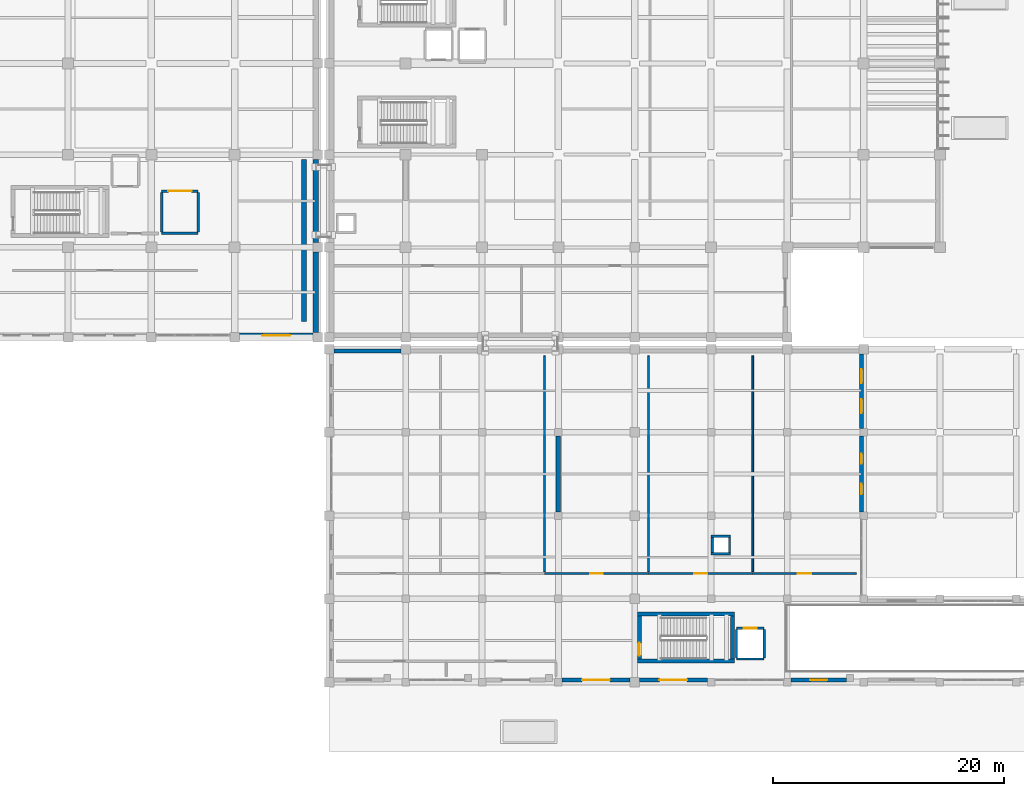
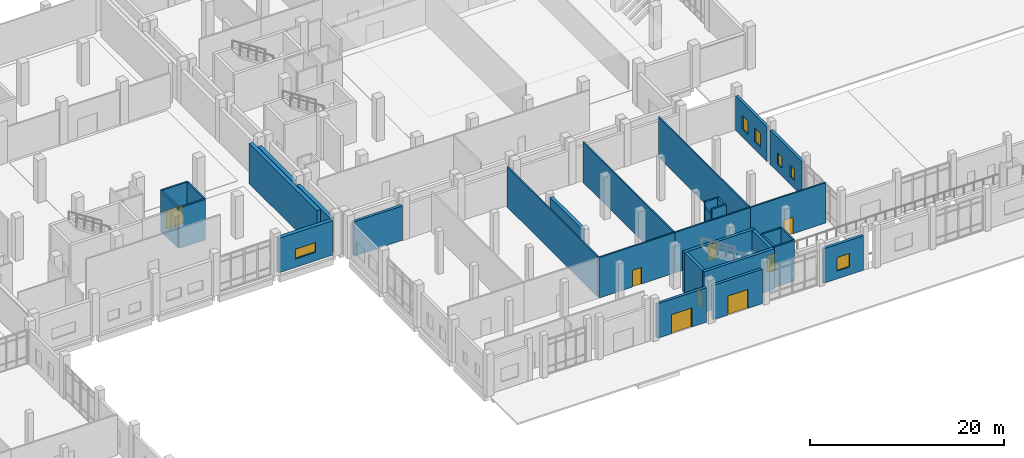
# One storey, part 54 of 79: 33 walls, 8 doors, 6 windows, 14 openings.
"""IFC4 building model written with IfcOpenShell, lengths in metres."""

from ifc_helpers import new_model, si_unit, direction, frame, frame_2d, origin, place, context, subcontext, project, spatial, rectangle, extrude, material, layer, layer_set, type_object, element, fill, save


model = new_model("IFC4")

# Units and contexts
model_context = context("Model", 3, precision=1e-05, world=origin(), true_north=direction((0.0, 1.0)))
body_context = subcontext(model_context, "Body", "Model", "MODEL_VIEW")
ifc_project = project(units=[si_unit("LENGTHUNIT", "METRE"), si_unit("AREAUNIT", "SQUARE_METRE"), si_unit("VOLUMEUNIT", "CUBIC_METRE"), si_unit("PLANEANGLEUNIT", "RADIAN"), si_unit("MASSUNIT", "GRAM", prefix="KILO")], contexts=[model_context])

# Site, building, storey
site_placement = place(None, origin())
site = spatial("IfcSite", under=ifc_project, at=site_placement, CompositionType="ELEMENT")
building_placement = place(site_placement, origin())
building = spatial("IfcBuilding", under=site, at=building_placement, Name="Kelarvand Opera House", CompositionType="ELEMENT")
storey_placement = place(building_placement, origin())
storey = spatial("IfcBuildingStorey", under=building, at=storey_placement, Name="L00", CompositionType="ELEMENT", Elevation=0.0)

# Walls
ifc_material_1 = material(Name="Concrete C40/50", Category="concrete")
ifc_layer_1 = layer(ifc_material_1, 0.449951171875, Name="Concrete C40/50", Category="concrete")
ifc_layer_set_1 = layer_set([ifc_layer_1], Name="Concrete C40/50")
wall_type_1 = type_object("IfcWallType", Name="Acoustic Proscenium Shear Wall 450", PredefinedType="SHEAR", material=ifc_layer_set_1)
wall_1_placement = place(storey_placement, frame((86.800048828125, 40.199951171875, 0.0), z_axis=(0.0, 0.0, 1.0), x_axis=(0.0, 1.0, 0.0)))
element("IfcWall", 1, at=wall_1_placement, inside=storey, type_object=wall_type_1, Name="V2 Shear Wall PW-120 L00", PredefinedType="SHEAR", context=body_context, shape_type="SweptSolid", body=[
    extrude(rectangle(XDim=14.0, YDim=0.449951171875, at=frame_2d((7.0, 0.0))), origin(), (0.0, 0.0, 1.0), 5.080078125),
])
ifc_material_2 = material(Name="Acoustic double-stud gypsum partition")
ifc_layer_2 = layer(ifc_material_2, 0.14990234375, Name="Acoustic double-stud gypsum partition")
ifc_layer_set_2 = layer_set([ifc_layer_2], Name="Acoustic double-stud gypsum partition")
wall_type_2 = type_object("IfcWallType", Name="Acoustic Room Partition Wall 150", PredefinedType="PARTITIONING", material=ifc_layer_set_2)
for number, where, z_axis, x_axis, name in (
    (2, (107.60009765625, 18.5400390625, 0.0), (0.0, 0.0, 1.0), (0.0, 1.0, 0.0), "V6 L00 Partition Wall IW-150 (319)"),
    (3, (116.60009765625, 18.5400390625, 0.0), (0.0, 0.0, 1.0), (0.0, 1.0, 0.0), "V6 L00 Partition Wall IW-150 (321)"),
    (4, (125.60009765625, 18.5400390625, 0.0), (0.0, 0.0, 1.0), (0.0, 1.0, 0.0), "V6 L00 Partition Wall IW-150 (323)"),
):
    element("IfcWall", number, at=place(storey_placement, frame(where, z_axis=z_axis, x_axis=x_axis)), inside=storey, type_object=wall_type_2, Name=name, PredefinedType="PARTITIONING", context=body_context, shape_type="SweptSolid", body=[
        extrude(rectangle(XDim=18.659912109375, YDim=0.14990234375, at=frame_2d((9.330078125, 0.0))), origin(), (0.0, 0.0, 1.0), 5.092041015625),
    ])
ifc_layer_3 = layer(ifc_material_1, 0.35009765625, Name="Concrete C40/50", Category="concrete")
ifc_layer_set_3 = layer_set([ifc_layer_3], Name="Concrete C40/50")
wall_type_3 = type_object("IfcWallType", Name="Core Stair and Lift Shear Wall 350", PredefinedType="SHEAR", material=ifc_layer_set_3)
for number, where, z_axis, x_axis, name in (
    (5, (115.64990234375, 10.824951171875, 0.0), (0.0, 0.0, 1.0), (1.0, 0.0, 0.0), "C8 Stair Core Shear Wall S L00"),
    (6, (124.050048828125, 14.875, 0.0), (0.0, 0.0, 1.0), (-1.0, 0.0, 0.0), "C8 Stair Core Shear Wall N L00"),
):
    element("IfcWall", number, at=place(storey_placement, frame(where, z_axis=z_axis, x_axis=x_axis)), inside=storey, type_object=wall_type_3, Name=name, PredefinedType="SHEAR", context=body_context, shape_type="SweptSolid", body=[
        extrude(rectangle(XDim=8.400146484375, YDim=0.35009765625, at=frame_2d((4.2001953125, 0.0))), origin(), (0.0, 0.0, 1.0), 5.10009765625),
    ])

# Wall, opening, door
wall_2_placement = place(storey_placement, frame((115.824951171875, 11.0, 0.0), z_axis=(0.0, 0.0, 1.0), x_axis=(0.0, 1.0, 0.0)))
wall_2 = element("IfcWall", 7, at=wall_2_placement, inside=storey, type_object=wall_type_3, Name="C8 Stair Core Shear Wall W L00", PredefinedType="SHEAR", context=body_context, shape_type="SweptSolid", body=[
    extrude(rectangle(XDim=3.699951171875, YDim=0.35009765625, at=frame_2d((1.85009765625, 0.0))), origin(), (0.0, 0.0, 1.0), 5.10009765625),
])
opening_1_placement = place(wall_2_placement, frame((0.280029296875, 0.0, 0.0)))
opening_1 = element("IfcOpeningElement", 8, at=opening_1_placement, cuts=wall_2, Name="Opening FD-01", PredefinedType="OPENING", context=body_context, shape_type="SweptSolid", body=[
    extrude(rectangle(XDim=1.10009765625, YDim=2.080078125, at=frame_2d((0.550048828125, 1.0400390625))), frame((0.0, 0.18505859375, 0.0), z_axis=(0.0, -1.0, 0.0), x_axis=(1.0, 0.0, 0.0)), (0.0, 0.0, 1.0), 0.3701171875),
])
ifc_material_3 = material(Name="Fire-rated brushed stainless steel", Category="steel")
door_type_1 = type_object("IfcDoorType", Name="Steel Fire-Rated Stair and FF Lobby Door 1100x2080", OperationType="NOTDEFINED", PredefinedType="DOOR", material=ifc_material_3)
door_1_placement = place(opening_1_placement, origin())
door_1 = element("IfcDoor", 9, at=door_1_placement, inside=storey, type_object=door_type_1, Name="C8 Stair ST-08 Fire Door L00", OperationType="SINGLE_SWING_RIGHT", OverallHeight=2.080078125, OverallWidth=1.10009765625, PredefinedType="DOOR", context=body_context, shape_type="SweptSolid", body=[
    extrude(rectangle(XDim=1.10009765625, YDim=2.080078125, at=frame_2d((0.550048828125, 1.0400390625))), frame((0.0, 0.02490234375, 0.0), z_axis=(0.0, -1.0, 0.0), x_axis=(1.0, 0.0, 0.0)), (0.0, 0.0, 1.0), 0.050048828125),
])
fill(opening_1, door_1)

# Wall
wall_3_placement = place(storey_placement, frame((123.875, 14.699951171875, 0.0), z_axis=(0.0, 0.0, 1.0), x_axis=(0.0, -1.0, 0.0)))
element("IfcWall", 10, at=wall_3_placement, inside=storey, type_object=wall_type_3, Name="C8 Stair Core Shear Wall E L00", PredefinedType="SHEAR", context=body_context, shape_type="SweptSolid", body=[
    extrude(rectangle(XDim=3.699951171875, YDim=0.35009765625, at=frame_2d((1.85009765625, 0.0))), origin(), (0.0, 0.0, 1.0), 5.10009765625),
])

# Wall, opening, door
ifc_material_4 = material(Name="Concrete C35/45", Category="concrete")
ifc_layer_4 = layer(ifc_material_4, 0.179931640625, Name="Concrete C35/45", Category="concrete")
ifc_layer_set_4 = layer_set([ifc_layer_4], Name="Concrete C35/45")
wall_type_4 = type_object("IfcWallType", Name="Corridor Fire-Rated Partition Wall 180 EI90", PredefinedType="PARTITIONING", material=ifc_layer_set_4)
wall_4_placement = place(storey_placement, frame((107.60009765625, 18.39990234375, 0.0), z_axis=(0.0, 0.0, 1.0), x_axis=(1.0, 0.0, 0.0)))
wall_4 = element("IfcWall", 11, at=wall_4_placement, inside=storey, type_object=wall_type_4, Name="V6 L00 Partition Wall IW-90 (320)", PredefinedType="PARTITIONING", context=body_context, shape_type="SweptSolid", body=[
    extrude(rectangle(XDim=9.0, YDim=0.179931640625, at=frame_2d((4.5, 0.0))), origin(), (0.0, 0.0, 1.0), 5.092041015625),
])
opening_2_placement = place(wall_4_placement, frame((3.97509765625, 0.0, 0.0)))
opening_2 = element("IfcOpeningElement", 12, at=opening_2_placement, cuts=wall_4, Name="Opening D-02", PredefinedType="OPENING", context=body_context, shape_type="SweptSolid", body=[
    extrude(rectangle(XDim=1.050048828125, YDim=2.10009765625, at=frame_2d((0.52490234375, 1.050048828125))), frame((0.0, 0.10009765625, 0.0), z_axis=(0.0, -1.0, 0.0), x_axis=(1.0, 0.0, 0.0)), (0.0, 0.0, 1.0), 0.199951171875),
])
ifc_material_5 = material(Name="Acoustic walnut-veneered hardwood", Category="wood")
door_type_2 = type_object("IfcDoorType", Name="Acoustic Studio Single Door 1050x2100", OperationType="NOTDEFINED", PredefinedType="DOOR", material=ifc_material_5)
door_2_placement = place(opening_2_placement, origin())
door_2 = element("IfcDoor", 13, at=door_2_placement, inside=storey, type_object=door_type_2, Name="V6 L00 Door D-02 (141)", OperationType="SINGLE_SWING_RIGHT", OverallHeight=2.10009765625, OverallWidth=1.050048828125, PredefinedType="DOOR", context=body_context, shape_type="SweptSolid", body=[
    extrude(rectangle(XDim=1.050048828125, YDim=2.10009765625, at=frame_2d((0.52490234375, 1.050048828125))), frame((0.0, 0.02490234375, 0.0), z_axis=(0.0, -1.0, 0.0), x_axis=(1.0, 0.0, 0.0)), (0.0, 0.0, 1.0), 0.050048828125),
])
fill(opening_2, door_2)

wall_5_placement = place(storey_placement, frame((116.60009765625, 18.39990234375, 0.0), z_axis=(0.0, 0.0, 1.0), x_axis=(1.0, 0.0, 0.0)))
wall_5 = element("IfcWall", 14, at=wall_5_placement, inside=storey, type_object=wall_type_4, Name="V6 L00 Partition Wall IW-90 (322)", PredefinedType="PARTITIONING", context=body_context, shape_type="SweptSolid", body=[
    extrude(rectangle(XDim=9.0, YDim=0.179931640625, at=frame_2d((4.5, 0.0))), origin(), (0.0, 0.0, 1.0), 5.092041015625),
])
opening_3_placement = place(wall_5_placement, frame((3.93994140625, 0.0, 0.0)))
opening_3 = element("IfcOpeningElement", 15, at=opening_3_placement, cuts=wall_5, Name="Opening D-10", PredefinedType="OPENING", context=body_context, shape_type="SweptSolid", body=[
    extrude(rectangle(XDim=1.1201171875, YDim=2.1201171875, at=frame_2d((0.56005859375, 1.06005859375))), frame((0.0, 0.10009765625, 0.0), z_axis=(0.0, -1.0, 0.0), x_axis=(1.0, 0.0, 0.0)), (0.0, 0.0, 1.0), 0.199951171875),
])
door_type_3 = type_object("IfcDoorType", Name="Chorus Studio Single Door 1120x2120", OperationType="NOTDEFINED", PredefinedType="DOOR", material=ifc_material_5)
door_3_placement = place(opening_3_placement, origin())
door_3 = element("IfcDoor", 16, at=door_3_placement, inside=storey, type_object=door_type_3, Name="V6 L00 Door D-10 (142)", OperationType="SINGLE_SWING_LEFT", OverallHeight=2.1201171875, OverallWidth=1.1201171875, PredefinedType="DOOR", context=body_context, shape_type="SweptSolid", body=[
    extrude(rectangle(XDim=1.1201171875, YDim=2.1201171875, at=frame_2d((0.56005859375, 1.06005859375))), frame((0.0, 0.02490234375, 0.0), z_axis=(0.0, -1.0, 0.0), x_axis=(1.0, 0.0, 0.0)), (0.0, 0.0, 1.0), 0.050048828125),
])
fill(opening_3, door_3)

wall_6_placement = place(storey_placement, frame((125.60009765625, 18.39990234375, 0.0), z_axis=(0.0, 0.0, 1.0), x_axis=(1.0, 0.0, 0.0)))
wall_6 = element("IfcWall", 17, at=wall_6_placement, inside=storey, type_object=wall_type_4, Name="V6 L00 Partition Wall IW-90 (324)", PredefinedType="PARTITIONING", context=body_context, shape_type="SweptSolid", body=[
    extrude(rectangle(XDim=9.0, YDim=0.179931640625, at=frame_2d((4.5, 0.0))), origin(), (0.0, 0.0, 1.0), 5.092041015625),
])
opening_4_placement = place(wall_6_placement, frame((3.919921875, 0.0, 0.0)))
opening_4 = element("IfcOpeningElement", 18, at=opening_4_placement, cuts=wall_6, Name="Opening D-20", PredefinedType="OPENING", context=body_context, shape_type="SweptSolid", body=[
    extrude(rectangle(XDim=1.159912109375, YDim=2.10009765625, at=frame_2d((0.580078125, 1.050048828125))), frame((0.0, 0.10009765625, 0.0), z_axis=(0.0, -1.0, 0.0), x_axis=(1.0, 0.0, 0.0)), (0.0, 0.0, 1.0), 0.199951171875),
])
door_type_4 = type_object("IfcDoorType", Name="Library Reading Room Door 1160x2100", OperationType="NOTDEFINED", PredefinedType="DOOR", material=ifc_material_5)
door_4_placement = place(opening_4_placement, origin())
door_4 = element("IfcDoor", 19, at=door_4_placement, inside=storey, type_object=door_type_4, Name="V6 L00 Door D-20 (143)", OperationType="SINGLE_SWING_RIGHT", OverallHeight=2.10009765625, OverallWidth=1.159912109375, PredefinedType="DOOR", context=body_context, shape_type="SweptSolid", body=[
    extrude(rectangle(XDim=1.159912109375, YDim=2.10009765625, at=frame_2d((0.580078125, 1.050048828125))), frame((0.0, 0.02490234375, 0.0), z_axis=(0.0, -1.0, 0.0), x_axis=(1.0, 0.0, 0.0)), (0.0, 0.0, 1.0), 0.050048828125),
])
fill(opening_4, door_4)

# Wall, opening, window
ifc_layer_5 = layer(ifc_material_4, 0.320068359375, Name="Concrete C35/45", Category="concrete")
ifc_layer_set_5 = layer_set([ifc_layer_5], Name="Concrete C35/45")
wall_type_5 = type_object("IfcWallType", Name="Insulated Buff Brick Cavity Wall 320", PredefinedType="SOLIDWALL", material=ifc_layer_set_5)
wall_7_placement = place(storey_placement, frame((133.699951171875, 9.179931640625, 0.0), z_axis=(0.0, 0.0, 1.0), x_axis=(-1.0, 0.0, 0.0)))
wall_7 = element("IfcWall", 20, at=wall_7_placement, inside=storey, type_object=wall_type_5, Name="V6 L00 Exterior Wall EW-320 (701)", PredefinedType="SOLIDWALL", context=body_context, shape_type="SweptSolid", body=[
    extrude(rectangle(XDim=4.77490234375, YDim=0.320068359375, at=frame_2d((2.387451171875, 0.0))), origin(), (0.0, 0.0, 1.0), 4.342041015625),
])
opening_5_placement = place(wall_7_placement, frame((1.636962890625, 0.0, 1.0)))
opening_5 = element("IfcOpeningElement", 21, at=opening_5_placement, cuts=wall_7, Name="Opening WN-17", PredefinedType="OPENING", context=body_context, shape_type="SweptSolid", body=[
    extrude(rectangle(XDim=1.5, YDim=1.699951171875, at=frame_2d((0.75, 0.85009765625))), frame((0.0, 0.169921875, 0.0), z_axis=(0.0, -1.0, 0.0), x_axis=(1.0, 0.0, 0.0)), (0.0, 0.0, 1.0), 0.340087890625),
])
ifc_material_6 = material(Name="Thermally broken aluminium and low-E double glazing", Category="aluminium")
window_type_1 = type_object("IfcWindowType", Name="Recessed Aluminium Thermal Window 1500x1700 WN-17", PartitioningType="SINGLE_PANEL", PredefinedType="WINDOW", material=ifc_material_6)
window_1_placement = place(opening_5_placement, origin())
window_1 = element("IfcWindow", 22, at=window_1_placement, inside=storey, type_object=window_type_1, Name="V6 L00 Facade Window WN-17 (310)", OverallHeight=1.699951171875, OverallWidth=1.5, PartitioningType="SINGLE_PANEL", PredefinedType="WINDOW", context=body_context, shape_type="SweptSolid", body=[
    extrude(rectangle(XDim=1.5, YDim=1.699951171875, at=frame_2d((0.75, 0.85009765625))), frame((0.0, 0.030029296875, 0.0), z_axis=(0.0, -1.0, 0.0), x_axis=(1.0, 0.0, 0.0)), (0.0, 0.0, 1.0), 0.06005859375),
])
fill(opening_5, window_1)

# Wall, opening, door
wall_8_placement = place(storey_placement, frame((121.675048828125, 9.179931640625, 0.0), z_axis=(0.0, 0.0, 1.0), x_axis=(-1.0, 0.0, 0.0)))
wall_8 = element("IfcWall", 23, at=wall_8_placement, inside=storey, type_object=wall_type_5, Name="V6 L00 Exterior Wall EW-320 (702)", PredefinedType="SOLIDWALL", context=body_context, shape_type="SweptSolid", body=[
    extrude(rectangle(XDim=5.864990234375, YDim=0.320068359375, at=frame_2d((2.9326171875, 0.0))), origin(), (0.0, 0.0, 1.0), 4.342041015625),
])
opening_6_placement = place(wall_8_placement, frame((1.73193359375, 0.0, 0.0)))
opening_6 = element("IfcOpeningElement", 24, at=opening_6_placement, cuts=wall_8, Name="Opening EX-240", PredefinedType="OPENING", context=body_context, shape_type="SweptSolid", body=[
    extrude(rectangle(XDim=2.39990234375, YDim=2.39990234375, at=frame_2d((1.199951171875, 1.199951171875))), frame((0.0, 0.169921875, 0.0), z_axis=(0.0, -1.0, 0.0), x_axis=(1.0, 0.0, 0.0)), (0.0, 0.0, 1.0), 0.340087890625),
])
ifc_material_7 = material(Name="Thermally broken bronze-anodised aluminium and safety glass", Category="aluminium")
door_type_5 = type_object("IfcDoorType", Name="Glazed Bronze Double Final Exit Door 2400x2400", OperationType="NOTDEFINED", PredefinedType="DOOR", material=ifc_material_7)
door_5_placement = place(opening_6_placement, origin())
door_5 = element("IfcDoor", 25, at=door_5_placement, inside=storey, type_object=door_type_5, Name="V6 Ground Final Exit Door E06", OperationType="DOUBLE_DOOR_SINGLE_SWING", OverallHeight=2.39990234375, OverallWidth=2.39990234375, PredefinedType="DOOR", context=body_context, shape_type="SweptSolid", body=[
    extrude(rectangle(XDim=2.39990234375, YDim=2.39990234375, at=frame_2d((1.199951171875, 1.199951171875))), frame((0.0, 0.02490234375, 0.0), z_axis=(0.0, -1.0, 0.0), x_axis=(1.0, 0.0, 0.0)), (0.0, 0.0, 1.0), 0.050048828125),
])
fill(opening_6, door_5)

wall_9_placement = place(storey_placement, frame((114.989990234375, 9.179931640625, 0.0), z_axis=(0.0, 0.0, 1.0), x_axis=(-1.0, 0.0, 0.0)))
wall_9 = element("IfcWall", 26, at=wall_9_placement, inside=storey, type_object=wall_type_5, Name="V6 L00 Exterior Wall EW-320 (703)", PredefinedType="SOLIDWALL", context=body_context, shape_type="SweptSolid", body=[
    extrude(rectangle(XDim=5.864990234375, YDim=0.320068359375, at=frame_2d((2.9326171875, 0.0))), origin(), (0.0, 0.0, 1.0), 4.342041015625),
])
opening_7_placement = place(wall_9_placement, frame((1.73193359375, 0.0, 0.0)))
opening_7 = element("IfcOpeningElement", 27, at=opening_7_placement, cuts=wall_9, Name="Opening EX-240", PredefinedType="OPENING", context=body_context, shape_type="SweptSolid", body=[
    extrude(rectangle(XDim=2.39990234375, YDim=2.39990234375, at=frame_2d((1.199951171875, 1.199951171875))), frame((0.0, 0.169921875, 0.0), z_axis=(0.0, -1.0, 0.0), x_axis=(1.0, 0.0, 0.0)), (0.0, 0.0, 1.0), 0.340087890625),
])
door_6_placement = place(opening_7_placement, origin())
door_6 = element("IfcDoor", 28, at=door_6_placement, inside=storey, type_object=door_type_5, Name="V6 Ground Final Exit Door E05", OperationType="DOUBLE_DOOR_SINGLE_SWING", OverallHeight=2.39990234375, OverallWidth=2.39990234375, PredefinedType="DOOR", context=body_context, shape_type="SweptSolid", body=[
    extrude(rectangle(XDim=2.39990234375, YDim=2.39990234375, at=frame_2d((1.199951171875, 1.199951171875))), frame((0.0, 0.02490234375, 0.0), z_axis=(0.0, -1.0, 0.0), x_axis=(1.0, 0.0, 0.0)), (0.0, 0.0, 1.0), 0.050048828125),
])
fill(opening_7, door_6)

# Wall
wall_10_placement = place(storey_placement, frame((89.409912109375, 37.6201171875, 0.0), z_axis=(0.0, 0.0, 1.0), x_axis=(1.0, 0.0, 0.0)))
element("IfcWall", 29, at=wall_10_placement, inside=storey, type_object=wall_type_5, Name="V6 L00 Exterior Wall EW-320 (709)", PredefinedType="SOLIDWALL", context=body_context, shape_type="SweptSolid", body=[
    extrude(rectangle(XDim=5.780029296875, YDim=0.320068359375, at=frame_2d((2.89013671875, 0.0))), origin(), (0.0, 0.0, 1.0), 4.342041015625),
])

# Wall, openings, windows
wall_11_placement = place(storey_placement, frame((135.02001953125, 37.389892578125, 0.0), z_axis=(0.0, 0.0, 1.0), x_axis=(0.0, -1.0, 0.0)))
wall_11 = element("IfcWall", 30, at=wall_11_placement, inside=storey, type_object=wall_type_5, Name="V6 L00 Exterior Wall EW-320 (716)", PredefinedType="SOLIDWALL", context=body_context, shape_type="SweptSolid", body=[
    extrude(rectangle(XDim=6.46484375, YDim=0.320068359375, at=frame_2d((3.232421875, 0.0))), origin(), (0.0, 0.0, 1.0), 4.342041015625),
])
opening_8_placement = place(wall_11_placement, frame((1.339111328125, 0.0, 1.0)))
opening_8 = element("IfcOpeningElement", 31, at=opening_8_placement, cuts=wall_11, Name="Opening WN-16", PredefinedType="OPENING", context=body_context, shape_type="SweptSolid", body=[
    extrude(rectangle(XDim=1.199951171875, YDim=1.699951171875, at=frame_2d((0.60009765625, 0.85009765625))), frame((0.0, 0.169921875, 0.0), z_axis=(0.0, -1.0, 0.0), x_axis=(1.0, 0.0, 0.0)), (0.0, 0.0, 1.0), 0.340087890625),
])
opening_9_placement = place(wall_11_placement, frame((3.925048828125, 0.0, 1.0)))
opening_9 = element("IfcOpeningElement", 32, at=opening_9_placement, cuts=wall_11, Name="Opening WN-16", PredefinedType="OPENING", context=body_context, shape_type="SweptSolid", body=[
    extrude(rectangle(XDim=1.199951171875, YDim=1.699951171875, at=frame_2d((0.60009765625, 0.85009765625))), frame((0.0, 0.169921875, 0.0), z_axis=(0.0, -1.0, 0.0), x_axis=(1.0, 0.0, 0.0)), (0.0, 0.0, 1.0), 0.340087890625),
])
window_type_2 = type_object("IfcWindowType", Name="Recessed Aluminium Thermal Window 1200x1700 WN-16", PartitioningType="SINGLE_PANEL", PredefinedType="WINDOW", material=ifc_material_6)
window_2_placement = place(opening_8_placement, origin())
window_2 = element("IfcWindow", 33, at=window_2_placement, inside=storey, type_object=window_type_2, Name="V6 L00 Facade Window WN-16 (318)", OverallHeight=1.699951171875, OverallWidth=1.199951171875, PartitioningType="SINGLE_PANEL", PredefinedType="WINDOW", context=body_context, shape_type="SweptSolid", body=[
    extrude(rectangle(XDim=1.199951171875, YDim=1.699951171875, at=frame_2d((0.60009765625, 0.85009765625))), frame((0.0, 0.030029296875, 0.0), z_axis=(0.0, -1.0, 0.0), x_axis=(1.0, 0.0, 0.0)), (0.0, 0.0, 1.0), 0.06005859375),
])
fill(opening_8, window_2)
window_3_placement = place(opening_9_placement, origin())
window_3 = element("IfcWindow", 34, at=window_3_placement, inside=storey, type_object=window_type_2, Name="V6 L00 Facade Window WN-16 (319)", OverallHeight=1.699951171875, OverallWidth=1.199951171875, PartitioningType="SINGLE_PANEL", PredefinedType="WINDOW", context=body_context, shape_type="SweptSolid", body=[
    extrude(rectangle(XDim=1.199951171875, YDim=1.699951171875, at=frame_2d((0.60009765625, 0.85009765625))), frame((0.0, 0.030029296875, 0.0), z_axis=(0.0, -1.0, 0.0), x_axis=(1.0, 0.0, 0.0)), (0.0, 0.0, 1.0), 0.06005859375),
])
fill(opening_9, window_3)

wall_12_placement = place(storey_placement, frame((135.02001953125, 30.27490234375, 0.0), z_axis=(0.0, 0.0, 1.0), x_axis=(0.0, -1.0, 0.0)))
wall_12 = element("IfcWall", 35, at=wall_12_placement, inside=storey, type_object=wall_type_5, Name="V6 L00 Exterior Wall EW-320 (717)", PredefinedType="SOLIDWALL", context=body_context, shape_type="SweptSolid", body=[
    extrude(rectangle(XDim=6.5498046875, YDim=0.320068359375, at=frame_2d((3.27490234375, 0.0))), origin(), (0.0, 0.0, 1.0), 4.342041015625),
])
opening_10_placement = place(wall_12_placement, frame((1.514892578125, 0.0, 1.0)))
opening_10 = element("IfcOpeningElement", 36, at=opening_10_placement, cuts=wall_12, Name="Opening WN-25", PredefinedType="OPENING", context=body_context, shape_type="SweptSolid", body=[
    extrude(rectangle(XDim=0.89990234375, YDim=1.39990234375, at=frame_2d((0.449951171875, 0.699951171875))), frame((0.0, 0.169921875, 0.0), z_axis=(0.0, -1.0, 0.0), x_axis=(1.0, 0.0, 0.0)), (0.0, 0.0, 1.0), 0.340087890625),
])
opening_11_placement = place(wall_12_placement, frame((4.135009765625, 0.0, 1.0)))
opening_11 = element("IfcOpeningElement", 37, at=opening_11_placement, cuts=wall_12, Name="Opening WN-25", PredefinedType="OPENING", context=body_context, shape_type="SweptSolid", body=[
    extrude(rectangle(XDim=0.89990234375, YDim=1.39990234375, at=frame_2d((0.449951171875, 0.699951171875))), frame((0.0, 0.169921875, 0.0), z_axis=(0.0, -1.0, 0.0), x_axis=(1.0, 0.0, 0.0)), (0.0, 0.0, 1.0), 0.340087890625),
])
window_type_3 = type_object("IfcWindowType", Name="Recessed Aluminium Thermal Window 900x1400 WN-25", PartitioningType="SINGLE_PANEL", PredefinedType="WINDOW", material=ifc_material_6)
window_4_placement = place(opening_10_placement, origin())
window_4 = element("IfcWindow", 38, at=window_4_placement, inside=storey, type_object=window_type_3, Name="V6 L00 Facade Window WN-25 (320)", OverallHeight=1.39990234375, OverallWidth=0.89990234375, PartitioningType="SINGLE_PANEL", PredefinedType="WINDOW", context=body_context, shape_type="SweptSolid", body=[
    extrude(rectangle(XDim=0.89990234375, YDim=1.39990234375, at=frame_2d((0.449951171875, 0.699951171875))), frame((0.0, 0.030029296875, 0.0), z_axis=(0.0, -1.0, 0.0), x_axis=(1.0, 0.0, 0.0)), (0.0, 0.0, 1.0), 0.06005859375),
])
fill(opening_10, window_4)
window_5_placement = place(opening_11_placement, origin())
window_5 = element("IfcWindow", 39, at=window_5_placement, inside=storey, type_object=window_type_3, Name="V6 L00 Facade Window WN-25 (321)", OverallHeight=1.39990234375, OverallWidth=0.89990234375, PartitioningType="SINGLE_PANEL", PredefinedType="WINDOW", context=body_context, shape_type="SweptSolid", body=[
    extrude(rectangle(XDim=0.89990234375, YDim=1.39990234375, at=frame_2d((0.449951171875, 0.699951171875))), frame((0.0, 0.030029296875, 0.0), z_axis=(0.0, -1.0, 0.0), x_axis=(1.0, 0.0, 0.0)), (0.0, 0.0, 1.0), 0.06005859375),
])
fill(opening_11, window_5)

# Walls
ifc_layer_6 = layer(ifc_material_4, 0.199951171875, Name="Concrete C35/45", Category="concrete")
ifc_layer_set_6 = layer_set([ifc_layer_6], Name="Concrete C35/45")
wall_type_6 = type_object("IfcWallType", Name="Lift and Riser Shaft Enclosure Wall 200 EI120", PredefinedType="PARTITIONING", material=ifc_layer_set_6)
for number, where, z_axis, x_axis, name in (
    (40, (122.0, 20.10009765625, 0.0), (0.0, 0.0, 1.0), (1.0, 0.0, 0.0), "RSR-V6 L00 Riser Shaft Wall 141"),
    (41, (123.699951171875, 21.60009765625, 0.0), (0.0, 0.0, 1.0), (-1.0, 0.0, 0.0), "RSR-V6 L00 Riser Shaft Wall 142"),
):
    element("IfcWall", number, at=place(storey_placement, frame(where, z_axis=z_axis, x_axis=x_axis)), inside=storey, type_object=wall_type_6, Name=name, PredefinedType="PARTITIONING", context=body_context, shape_type="SweptSolid", body=[
        extrude(rectangle(XDim=1.699951171875, YDim=0.199951171875, at=frame_2d((0.85009765625, 0.0))), origin(), (0.0, 0.0, 1.0), 5.10009765625),
    ])
wall_13_placement = place(storey_placement, frame((122.10009765625, 20.199951171875, 0.0), z_axis=(0.0, 0.0, 1.0), x_axis=(0.0, 1.0, 0.0)))
element("IfcWall", 42, at=wall_13_placement, inside=storey, type_object=wall_type_6, Name="RSR-V6 L00 Riser Shaft Wall 143", PredefinedType="PARTITIONING", context=body_context, shape_type="SweptSolid", body=[
    extrude(rectangle(XDim=1.300048828125, YDim=0.199951171875, at=frame_2d((0.64990234375, 0.0))), origin(), (0.0, 0.0, 1.0), 4.342041015625),
])
wall_14_placement = place(storey_placement, frame((123.60009765625, 21.5, 0.0), z_axis=(0.0, 0.0, 1.0), x_axis=(0.0, -1.0, 0.0)))
element("IfcWall", 43, at=wall_14_placement, inside=storey, type_object=wall_type_6, Name="RSR-V6 L00 Riser Shaft Wall 144", PredefinedType="PARTITIONING", context=body_context, shape_type="SweptSolid", body=[
    extrude(rectangle(XDim=1.300048828125, YDim=0.199951171875, at=frame_2d((0.64990234375, 0.0))), origin(), (0.0, 0.0, 1.0), 5.10009765625),
])
wall_15_placement = place(storey_placement, frame((74.5, 47.800048828125, 0.0), z_axis=(0.0, 0.0, 1.0), x_axis=(1.0, 0.0, 0.0)))
element("IfcWall", 44, at=wall_15_placement, inside=storey, type_object=wall_type_6, Name="V2 L00 Partition Wall SW-200 (225)", PredefinedType="PARTITIONING", context=body_context, shape_type="SweptSolid", body=[
    extrude(rectangle(XDim=3.14990234375, YDim=0.199951171875, at=frame_2d((1.574951171875, 0.0))), origin(), (0.0, 0.0, 1.0), 5.092041015625),
])

# Wall, opening, door
wall_16_placement = place(storey_placement, frame((77.64990234375, 51.449951171875, 0.0), z_axis=(0.0, 0.0, 1.0), x_axis=(-1.0, 0.0, 0.0)))
wall_16 = element("IfcWall", 45, at=wall_16_placement, inside=storey, type_object=wall_type_6, Name="V2 L00 Partition Wall SW-200 (226)", PredefinedType="PARTITIONING", context=body_context, shape_type="SweptSolid", body=[
    extrude(rectangle(XDim=3.14990234375, YDim=0.199951171875, at=frame_2d((1.574951171875, 0.0))), origin(), (0.0, 0.0, 1.0), 5.092041015625),
])
opening_12_placement = place(wall_16_placement, frame((0.574951171875, 0.0, 0.0)))
opening_12 = element("IfcOpeningElement", 46, at=opening_12_placement, cuts=wall_16, Name="Opening LD-03", PredefinedType="OPENING", context=body_context, shape_type="SweptSolid", body=[
    extrude(rectangle(XDim=2.0, YDim=2.35009765625, at=frame_2d((1.0, 1.175048828125))), frame((0.0, 0.10986328125, 0.0), z_axis=(0.0, -1.0, 0.0), x_axis=(1.0, 0.0, 0.0)), (0.0, 0.0, 1.0), 0.219970703125),
])
door_type_6 = type_object("IfcDoorType", Name="Scenery Goods Lift Sliding Landing Door 2000x2350", OperationType="SLIDING_TO_LEFT", PredefinedType="DOOR", material=ifc_material_3)
door_7_placement = place(opening_12_placement, origin())
door_7 = element("IfcDoor", 47, at=door_7_placement, inside=storey, type_object=door_type_6, Name="V2 L00 Door LD-03 (96)", OperationType="SLIDING_TO_LEFT", OverallHeight=2.35009765625, OverallWidth=2.0, PredefinedType="DOOR", context=body_context, shape_type="SweptSolid", body=[
    extrude(rectangle(XDim=2.0, YDim=2.35009765625, at=frame_2d((1.0, 1.175048828125))), frame((0.0, 0.02490234375, 0.0), z_axis=(0.0, -1.0, 0.0), x_axis=(1.0, 0.0, 0.0)), (0.0, 0.0, 1.0), 0.050048828125),
])
fill(opening_12, door_7)

# Walls
for number, where, z_axis, x_axis, name in (
    (48, (74.5, 47.89990234375, 0.0), (0.0, 0.0, 1.0), (0.0, 1.0, 0.0), "V2 L00 Partition Wall SW-200 (227)"),
    (49, (77.64990234375, 51.35009765625, 0.0), (0.0, 0.0, 1.0), (0.0, -1.0, 0.0), "V2 L00 Partition Wall SW-200 (228)"),
):
    element("IfcWall", number, at=place(storey_placement, frame(where, z_axis=z_axis, x_axis=x_axis)), inside=storey, type_object=wall_type_6, Name=name, PredefinedType="PARTITIONING", context=body_context, shape_type="SweptSolid", body=[
        extrude(rectangle(XDim=3.4501953125, YDim=0.199951171875, at=frame_2d((1.72509765625, 0.0))), origin(), (0.0, 0.0, 1.0), 5.092041015625),
    ])
wall_17_placement = place(storey_placement, frame((124.199951171875, 11.0, 0.0), z_axis=(0.0, 0.0, 1.0), x_axis=(1.0, 0.0, 0.0)))
element("IfcWall", 50, at=wall_17_placement, inside=storey, type_object=wall_type_6, Name="V6 L00 Partition Wall SW-200 (240)", PredefinedType="PARTITIONING", context=body_context, shape_type="SweptSolid", body=[
    extrude(rectangle(XDim=2.400146484375, YDim=0.199951171875, at=frame_2d((1.2001953125, 0.0))), origin(), (0.0, 0.0, 1.0), 5.092041015625),
])

# Wall, opening, door
wall_18_placement = place(storey_placement, frame((126.60009765625, 13.64990234375, 0.0), z_axis=(0.0, 0.0, 1.0), x_axis=(-1.0, 0.0, 0.0)))
wall_18 = element("IfcWall", 51, at=wall_18_placement, inside=storey, type_object=wall_type_6, Name="V6 L00 Partition Wall SW-200 (241)", PredefinedType="PARTITIONING", context=body_context, shape_type="SweptSolid", body=[
    extrude(rectangle(XDim=2.400146484375, YDim=0.199951171875, at=frame_2d((1.2001953125, 0.0))), origin(), (0.0, 0.0, 1.0), 5.092041015625),
])
opening_13_placement = place(wall_18_placement, frame((0.64990234375, 0.0, 0.0)))
opening_13 = element("IfcOpeningElement", 52, at=opening_13_placement, cuts=wall_18, Name="Opening LD-01", PredefinedType="OPENING", context=body_context, shape_type="SweptSolid", body=[
    extrude(rectangle(XDim=1.10009765625, YDim=2.14990234375, at=frame_2d((0.550048828125, 1.074951171875))), frame((0.0, 0.10986328125, 0.0), z_axis=(0.0, -1.0, 0.0), x_axis=(1.0, 0.0, 0.0)), (0.0, 0.0, 1.0), 0.219970703125),
])
door_type_7 = type_object("IfcDoorType", Name="Passenger Lift Sliding Landing Door 1100x2150", OperationType="SLIDING_TO_LEFT", PredefinedType="DOOR", material=ifc_material_3)
door_8_placement = place(opening_13_placement, origin())
door_8 = element("IfcDoor", 53, at=door_8_placement, inside=storey, type_object=door_type_7, Name="V6 L00 Door LD-01 (101)", OperationType="SLIDING_TO_LEFT", OverallHeight=2.14990234375, OverallWidth=1.10009765625, PredefinedType="DOOR", context=body_context, shape_type="SweptSolid", body=[
    extrude(rectangle(XDim=1.10009765625, YDim=2.14990234375, at=frame_2d((0.550048828125, 1.074951171875))), frame((0.0, 0.02490234375, 0.0), z_axis=(0.0, -1.0, 0.0), x_axis=(1.0, 0.0, 0.0)), (0.0, 0.0, 1.0), 0.050048828125),
])
fill(opening_13, door_8)

# Walls
for number, where, z_axis, x_axis, name in (
    (54, (124.199951171875, 11.10009765625, 0.0), (0.0, 0.0, 1.0), (0.0, 1.0, 0.0), "V6 L00 Partition Wall SW-200 (242)"),
    (55, (126.60009765625, 13.550048828125, 0.0), (0.0, 0.0, 1.0), (0.0, -1.0, 0.0), "V6 L00 Partition Wall SW-200 (243)"),
):
    element("IfcWall", number, at=place(storey_placement, frame(where, z_axis=z_axis, x_axis=x_axis)), inside=storey, type_object=wall_type_6, Name=name, PredefinedType="PARTITIONING", context=body_context, shape_type="SweptSolid", body=[
        extrude(rectangle(XDim=2.449951171875, YDim=0.199951171875, at=frame_2d((1.22509765625, 0.0))), origin(), (0.0, 0.0, 1.0), 5.092041015625),
    ])
ifc_layer_7 = layer(ifc_material_1, 0.39990234375, Name="Concrete C40/50", Category="concrete")
ifc_layer_set_7 = layer_set([ifc_layer_7], Name="Concrete C40/50")
wall_type_7 = type_object("IfcWallType", Name="Seismic Compartment Shear Wall 400", PredefinedType="SHEAR", material=ifc_layer_set_7)
wall_19_placement = place(storey_placement, frame((108.800048828125, 23.72509765625, 0.0), z_axis=(0.0, 0.0, 1.0), x_axis=(0.0, 1.0, 0.0)))
element("IfcWall", 56, at=wall_19_placement, inside=storey, type_object=wall_type_7, Name="V6 Shear Wall CW-120 L00", PredefinedType="SHEAR", context=body_context, shape_type="SweptSolid", body=[
    extrude(rectangle(XDim=6.5498046875, YDim=0.39990234375, at=frame_2d((3.27490234375, 0.0))), origin(), (0.0, 0.0, 1.0), 5.080078125),
])
ifc_layer_8 = layer(ifc_material_4, 0.43994140625, Name="Concrete C35/45", Category="concrete")
ifc_layer_set_8 = layer_set([ifc_layer_8], Name="Concrete C35/45")
wall_type_8 = type_object("IfcWallType", Name="Stage House Acoustic Cavity Wall 440", PredefinedType="SOLIDWALL", material=ifc_layer_set_8)
wall_20_placement = place(storey_placement, frame((87.820068359375, 54.18994140625, 0.0), z_axis=(0.0, 0.0, 1.0), x_axis=(0.0, -1.0, 0.0)))
element("IfcWall", 57, at=wall_20_placement, inside=storey, type_object=wall_type_8, Name="V2 L00 Exterior Wall EW-440 (224)", PredefinedType="SOLIDWALL", context=body_context, shape_type="SweptSolid", body=[
    extrude(rectangle(XDim=7.179931640625, YDim=0.43994140625, at=frame_2d((3.58984375, 0.0))), origin(), (0.0, 0.0, 1.0), 4.342041015625),
])
wall_21_placement = place(storey_placement, frame((87.820068359375, 46.18994140625, 0.0), z_axis=(0.0, 0.0, 1.0), x_axis=(0.0, -1.0, 0.0)))
element("IfcWall", 58, at=wall_21_placement, inside=storey, type_object=wall_type_8, Name="V2 L00 Exterior Wall EW-440 (225)", PredefinedType="SOLIDWALL", context=body_context, shape_type="SweptSolid", body=[
    extrude(rectangle(XDim=6.97998046875, YDim=0.43994140625, at=frame_2d((3.489990234375, 0.0))), origin(), (0.0, 0.0, 1.0), 4.342041015625),
])

# Wall, opening, window
wall_22_placement = place(storey_placement, frame((87.590087890625, 38.97998046875, 0.0), z_axis=(0.0, 0.0, 1.0), x_axis=(-1.0, 0.0, 0.0)))
wall_22 = element("IfcWall", 59, at=wall_22_placement, inside=storey, type_object=wall_type_8, Name="V2 L00 Exterior Wall EW-440 (236)", PredefinedType="SOLIDWALL", context=body_context, shape_type="SweptSolid", body=[
    extrude(rectangle(XDim=6.380126953125, YDim=0.43994140625, at=frame_2d((3.18994140625, 0.0))), origin(), (0.0, 0.0, 1.0), 4.342041015625),
])
opening_14_placement = place(wall_22_placement, frame((1.989990234375, 0.0, 1.050048828125)))
opening_14 = element("IfcOpeningElement", 60, at=opening_14_placement, cuts=wall_22, Name="Opening WN-22", PredefinedType="OPENING", context=body_context, shape_type="SweptSolid", body=[
    extrude(rectangle(XDim=2.39990234375, YDim=1.25, at=frame_2d((1.199951171875, 0.625))), frame((0.0, 0.22998046875, 0.0), z_axis=(0.0, -1.0, 0.0), x_axis=(1.0, 0.0, 0.0)), (0.0, 0.0, 1.0), 0.4599609375),
])
window_type_4 = type_object("IfcWindowType", Name="Recessed Aluminium Thermal Window 2400x1250 WN-22", PartitioningType="SINGLE_PANEL", PredefinedType="WINDOW", material=ifc_material_6)
window_6_placement = place(opening_14_placement, origin())
window_6 = element("IfcWindow", 61, at=window_6_placement, inside=storey, type_object=window_type_4, Name="V2 L00 Facade Window WN-22 (13)", OverallHeight=1.25, OverallWidth=2.39990234375, PartitioningType="SINGLE_PANEL", PredefinedType="WINDOW", context=body_context, shape_type="SweptSolid", body=[
    extrude(rectangle(XDim=2.39990234375, YDim=1.25, at=frame_2d((1.199951171875, 0.625))), frame((0.0, 0.030029296875, 0.0), z_axis=(0.0, -1.0, 0.0), x_axis=(1.0, 0.0, 0.0)), (0.0, 0.0, 1.0), 0.06005859375),
])
fill(opening_14, window_6)

save(model, "model.ifc")
